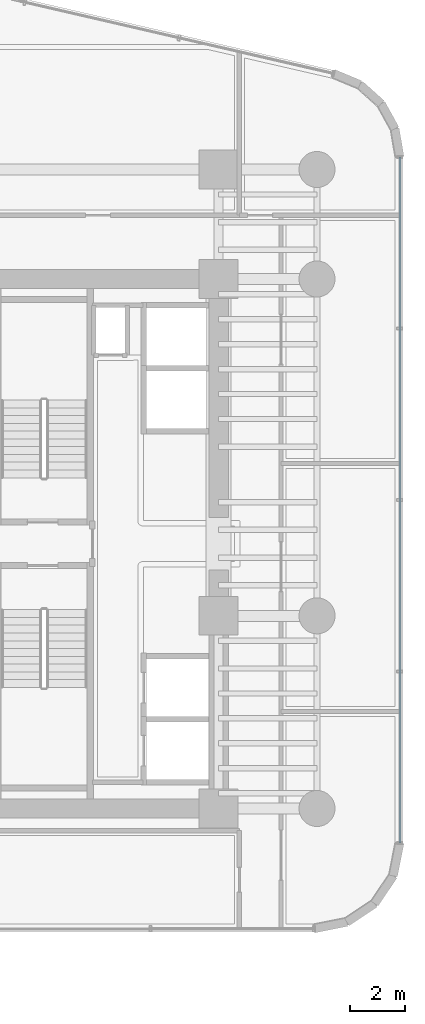
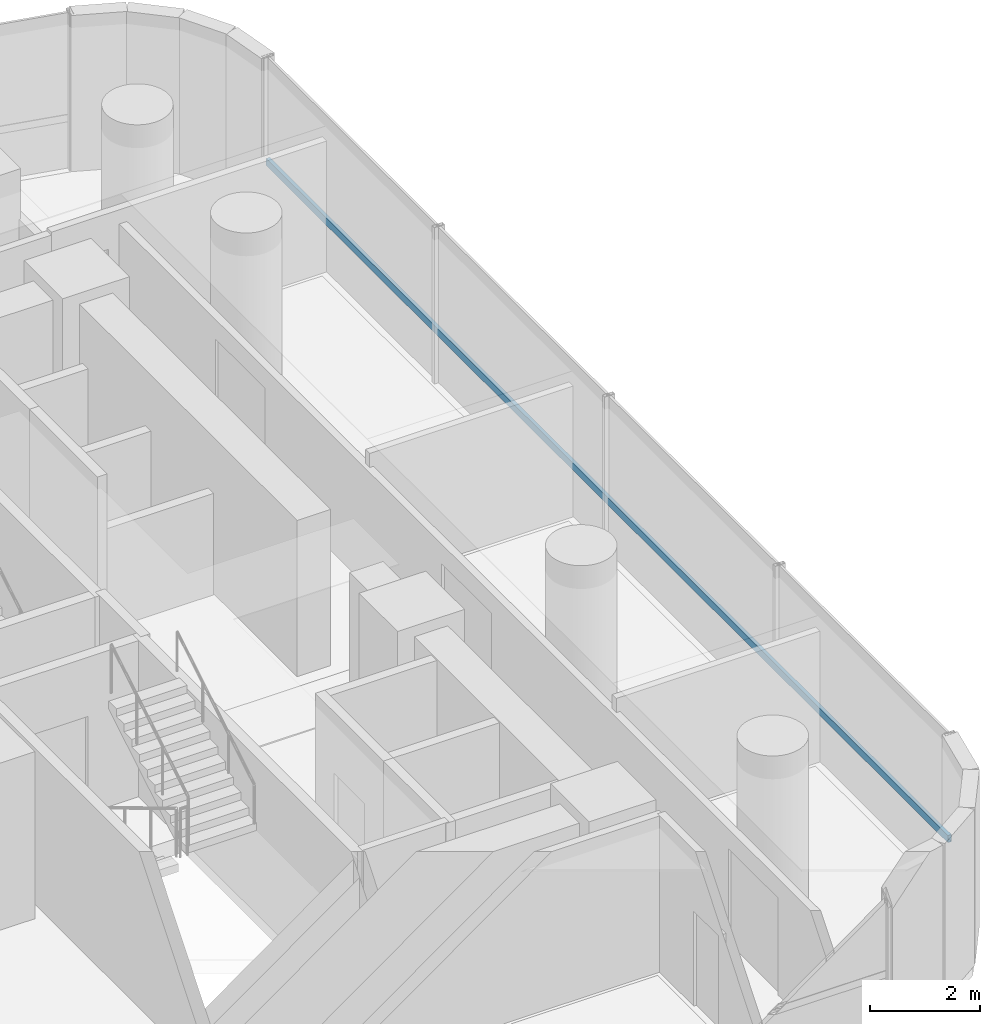
# One storey, part 25 of 39: 1 member, 1 element without a shape of its own.
"""IFC4 building model written with IfcOpenShell, lengths in metres."""

from ifc_helpers import new_model, si_unit, direction, frame, origin, origin_2d, place, context, subcontext, project, spatial, hollow_rectangle, extrude, source, transform, mapped, material, material_profile, profile_set, type_object, element, aggregate, save


model = new_model("IFC4")

# Units and contexts
model_context = context("Model", 3, precision=1e-05, world=origin(), true_north=direction((0.0, 1.0)))
body_context = subcontext(model_context, "Body", "Model", "MODEL_VIEW")
ifc_project = project(units=[si_unit("LENGTHUNIT", "METRE"), si_unit("AREAUNIT", "SQUARE_METRE"), si_unit("VOLUMEUNIT", "CUBIC_METRE"), si_unit("PLANEANGLEUNIT", "RADIAN"), si_unit("MASSUNIT", "GRAM", prefix="KILO")], contexts=[model_context])

# Site, building, storey
site_placement = place(None, origin())
site = spatial("IfcSite", under=ifc_project, at=site_placement, CompositionType="ELEMENT")
building_placement = place(site_placement, origin())
building = spatial("IfcBuilding", under=site, at=building_placement, Name="Valdorenza Pilgrim Sanctuary Tower", CompositionType="ELEMENT")
storey_placement = place(building_placement, frame((0.0, 0.0, 77.800048828125)))
storey = spatial("IfcBuildingStorey", under=building, at=storey_placement, Name="L19", CompositionType="ELEMENT", Elevation=77.800048828125)

# Curtain wall, member
ifc_material_1 = material(Name="Curtain-wall IGU glazing", Category="glass")
curtain_wall_type = type_object("IfcCurtainWallType", Name="CW-SYS-03", PredefinedType="NOTDEFINED", material=ifc_material_1)
curtain_wall_placement = place(storey_placement, origin())
curtain_wall = element("IfcCurtainWall", 1, at=curtain_wall_placement, inside=storey, type_object=curtain_wall_type, Name="L19 Curtain Wall CW-L19-1-21", PredefinedType="NOTDEFINED")
ifc_material_2 = material(Name="Anodised aluminium AW-6060", Category="aluminium")
ifc_material_profile = material_profile(ifc_material_2, hollow_rectangle(XDim=0.074951171875, YDim=0.159912109375, WallThickness=0.00390625, at=origin_2d()), Name="ALU-T 160x75x4")
ifc_profile_set = profile_set([ifc_material_profile], Name="Anodised aluminium AW-6060")
member_type = type_object("IfcMemberType", Name="CW-TRN-03", PredefinedType="USERDEFINED", material=ifc_profile_set)
shared_shape = source(origin(), body_context, "Body", "SweptSolid", [
    extrude(hollow_rectangle(XDim=0.074951171875, YDim=0.159912109375, WallThickness=0.00390625, at=origin_2d()), origin(), (0.0, 0.0, 1.0), 24.734375),
])
member_placement = place(storey_placement, frame((31.389892578125, 13.945068359375, 1.119873046875), z_axis=(0.0, -1.0, 0.0), x_axis=(1.0, 0.0, 0.0)))
member = element("IfcMember", 2, at=member_placement, type_object=member_type, Name="CW-L19-1-21 Transom 1", ObjectType="TRANSOM", PredefinedType="USERDEFINED", context=body_context, shape_type="MappedRepresentation", body=[
    mapped(shared_shape, transform((0.0, 0.0, 0.0), x_axis=(1.0, 0.0, 0.0), y_axis=(0.0, 1.0, 0.0), z_axis=(0.0, 0.0, 1.0), scale=1.0)),
])
aggregate(curtain_wall, [member])

save(model, "model.ifc")
